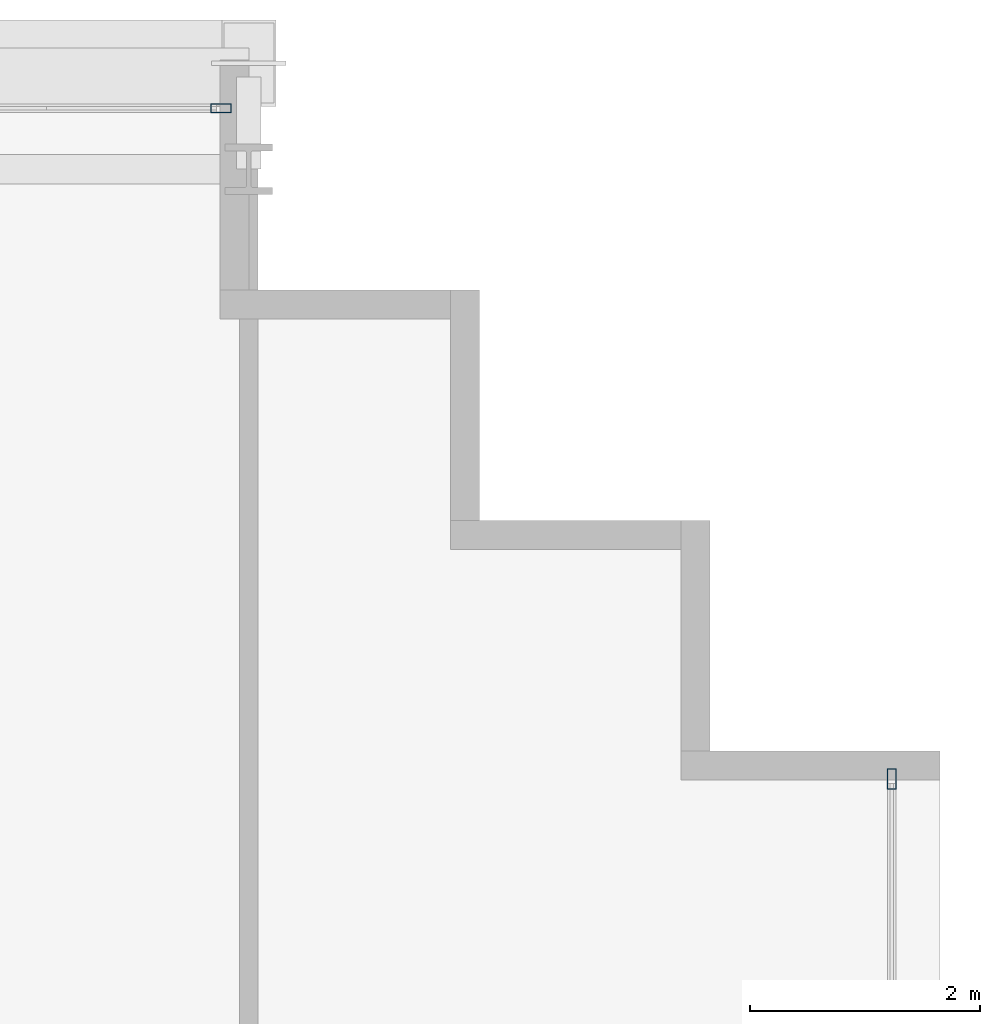
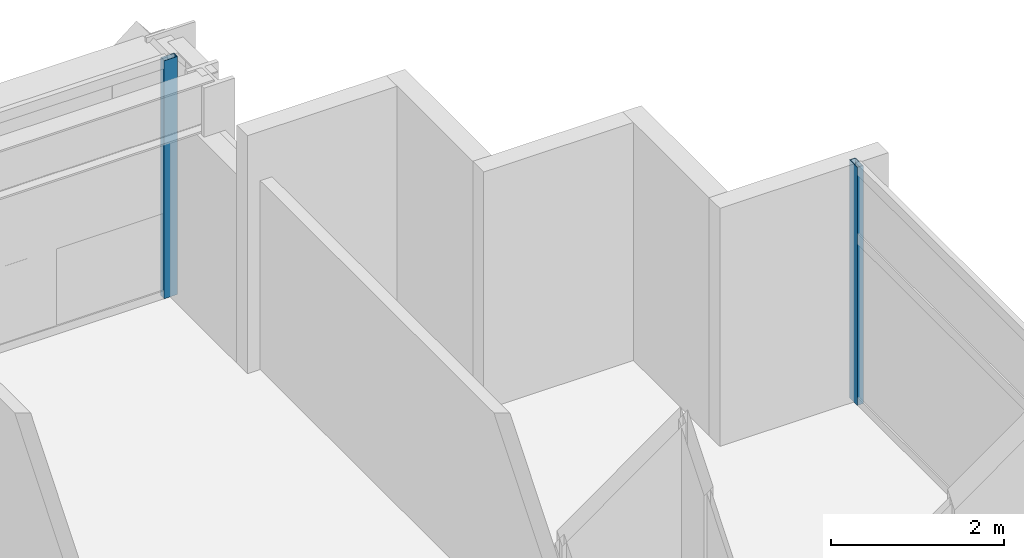
# One storey, part 22 of 35: 2 members, 2 elements without a shape of their own.
"""IFC4 building model written with IfcOpenShell, lengths in metres."""

import ifcopenshell
import ifcopenshell.guid

model = None  # the IFC model being written
_history = None  # IfcOwnerHistory: only IFC2X3 demands one
_inside = {}  # id of a spatial element -> (the spatial element, [elements in it])
_under = {}  # id of a project, library or spatial element -> (it, [spatial elements below it])
_declared = {}  # id of a project -> (the project, [libraries it declares])
_typed = {}  # id of a type object -> (the type object, [elements of that type])
_made_of = {}  # id of a material, layer set ... -> (it, [elements and type objects made of it])


def new_model(schema):
    """Start an empty IFC model of exactly this schema.

    Asked for "IFC4X3", IfcOpenShell would pick the latest addendum, in which some entities
    have other attributes; the version numbers below select the first issue.
    IFC2X3 requires an IfcOwnerHistory on every rooted entity: one is made here for all.
    """
    global model, _history
    if schema == "IFC4X3":
        model = ifcopenshell.file(schema_version=(4, 3, 0, 0))
    else:
        model = ifcopenshell.file(schema=schema)
    _inside.clear()
    _under.clear()
    _declared.clear()
    _typed.clear()
    _made_of.clear()
    _history = None
    if model.schema == "IFC2X3":
        org = make("IfcOrganization", Name="unknown")
        user = make(
            "IfcPersonAndOrganization",
            ThePerson=make("IfcPerson", FamilyName="unknown"),
            TheOrganization=org,
        )
        app = make(
            "IfcApplication",
            ApplicationDeveloper=org,
            Version="unknown",
            ApplicationFullName="unknown",
            ApplicationIdentifier="unknown",
        )
        _history = make(
            "IfcOwnerHistory",
            OwningUser=user,
            OwningApplication=app,
            ChangeAction="ADDED",
            CreationDate=0,
        )
    return model


def make(cls, **values):
    """One entity of the class cls with the attributes given. An attribute that is None is left unset."""
    return model.create_entity(
        cls, **{name: value for name, value in values.items() if value is not None}
    )


def rooted(cls, **values):
    """An entity with a GlobalId (a new one), such as an element, a storey or a relation."""
    return make(cls, GlobalId=ifcopenshell.guid.new(), OwnerHistory=_history, **values)


def si_unit(unit_type, name, prefix=None):
    """IfcSIUnit, for example si_unit("LENGTHUNIT", "METRE", prefix="MILLI")."""
    return make("IfcSIUnit", UnitType=unit_type, Prefix=prefix, Name=name)


def assignment(units):
    """IfcUnitAssignment: the units of a project."""
    return None if units is None else make("IfcUnitAssignment", Units=units)


def point(xyz):
    """IfcCartesianPoint."""
    return None if xyz is None else make("IfcCartesianPoint", Coordinates=xyz)


def direction(xyz):
    """IfcDirection."""
    return None if xyz is None else make("IfcDirection", DirectionRatios=xyz)


def frame(location, z_axis=None, x_axis=None):
    """IfcAxis2Placement3D, a coordinate frame: its origin and axes. An axis left out is left unset."""
    return make(
        "IfcAxis2Placement3D",
        Location=point(location),
        Axis=direction(z_axis),
        RefDirection=direction(x_axis),
    )


def frame_2d(location, x_axis=None):
    """IfcAxis2Placement2D, a coordinate frame in the plane: its origin and x axis."""
    return make(
        "IfcAxis2Placement2D", Location=point(location), RefDirection=direction(x_axis)
    )


def origin():
    """The frame at (0, 0, 0) with its axes left unset."""
    return frame((0.0, 0.0, 0.0))


def origin_2d():
    """The frame at (0, 0) in the plane with its x axis left unset."""
    return frame_2d((0.0, 0.0))


def place(relative_to, where):
    """IfcLocalPlacement: puts the frame where relative to a parent placement (None: the world)."""
    return make(
        "IfcLocalPlacement", PlacementRelTo=relative_to, RelativePlacement=where
    )


def context(
    kind, dimensions, precision=None, world=None, true_north=None, identifier=None
):
    """IfcGeometricRepresentationContext, for example the 3D "Model" context."""
    return make(
        "IfcGeometricRepresentationContext",
        ContextIdentifier=identifier,
        ContextType=kind,
        CoordinateSpaceDimension=dimensions,
        Precision=precision,
        WorldCoordinateSystem=world,
        TrueNorth=true_north,
    )


def subcontext(parent, identifier, kind, view, scale=None):
    """IfcGeometricRepresentationSubContext, for example "Body" below "Model"."""
    return make(
        "IfcGeometricRepresentationSubContext",
        ContextIdentifier=identifier,
        ContextType=kind,
        ParentContext=parent,
        TargetScale=scale,
        TargetView=view,
    )


def project(units=None, contexts=None):
    """IfcProject with its units and contexts."""
    return rooted(
        "IfcProject",
        Name="project",
        RepresentationContexts=contexts,
        UnitsInContext=assignment(units),
    )


def spatial(cls, under=None, at=None, **own):
    """A site, building, storey or space (cls), placed at a placement, below another one or the project."""
    s = rooted(cls, ObjectPlacement=at, **own)
    if under is not None:
        _under.setdefault(under.id(), (under, []))[1].append(s)
    return s


def profile(cls, at=None, kind="AREA", **sizes):
    """A parametric profile (cls). Its sizes go by their IFC names, for example OverallWidth=200.0."""
    return make(cls, ProfileType=kind, Position=at, **sizes)


def hollow_rectangle(**sizes):
    """IfcRectangleHollowProfileDef."""
    return profile("IfcRectangleHollowProfileDef", **sizes)


def extrude(swept, where, along, depth):
    """IfcExtrudedAreaSolid: the profile swept, set in the frame where, extruded along a direction by depth."""
    return make(
        "IfcExtrudedAreaSolid",
        SweptArea=swept,
        Position=where,
        ExtrudedDirection=direction(along),
        Depth=depth,
    )


def shape(context_of_items, identifier, shape_type, items):
    """IfcShapeRepresentation: the items that make up one representation, for example the "Body"."""
    return make(
        "IfcShapeRepresentation",
        ContextOfItems=context_of_items,
        RepresentationIdentifier=identifier,
        RepresentationType=shape_type,
        Items=items,
    )


def source(mapping_origin, context_of_items, identifier, shape_type, items):
    """IfcRepresentationMap: a shape defined once, which mapped items show again and again."""
    return make(
        "IfcRepresentationMap",
        MappingOrigin=mapping_origin,
        MappedRepresentation=shape(context_of_items, identifier, shape_type, items),
    )


def transform(
    local_origin,
    x_axis=None,
    y_axis=None,
    z_axis=None,
    scale=None,
    scale2=None,
    scale3=None,
    uniform=True,
):
    """IfcCartesianTransformationOperator3D, or its non-uniform kind. x_axis, y_axis, z_axis: its Axis1, 2, 3."""
    if uniform:
        return make(
            "IfcCartesianTransformationOperator3D",
            Axis1=direction(x_axis),
            Axis2=direction(y_axis),
            LocalOrigin=point(local_origin),
            Scale=scale,
            Axis3=direction(z_axis),
        )
    return make(
        "IfcCartesianTransformationOperator3DnonUniform",
        Axis1=direction(x_axis),
        Axis2=direction(y_axis),
        LocalOrigin=point(local_origin),
        Scale=scale,
        Axis3=direction(z_axis),
        Scale2=scale2,
        Scale3=scale3,
    )


def mapped(mapping_source, mapping_target):
    """IfcMappedItem: shows the shape of a source again, moved by a transform."""
    return make(
        "IfcMappedItem", MappingSource=mapping_source, MappingTarget=mapping_target
    )


def material(Name=None, Category=None):
    """IfcMaterial."""
    return make("IfcMaterial", Name=Name, Category=Category)


def layer(
    of_material, thickness, ventilated=None, Name=None, Category=None, Priority=None
):
    """IfcMaterialLayer: one layer of a wall or slab, of a material (None: an air gap)."""
    return make(
        "IfcMaterialLayer",
        Material=of_material,
        LayerThickness=thickness,
        IsVentilated=ventilated,
        Name=Name,
        Category=Category,
        Priority=Priority,
    )


def layer_set(layers, Name=None):
    """IfcMaterialLayerSet."""
    return make("IfcMaterialLayerSet", MaterialLayers=layers, LayerSetName=Name)


def material_profile(
    of_material, cross_section, Name=None, Category=None, Priority=None
):
    """IfcMaterialProfile: a cross section and its material."""
    return make(
        "IfcMaterialProfile",
        Name=Name,
        Material=of_material,
        Profile=cross_section,
        Priority=Priority,
        Category=Category,
    )


def profile_set(profiles, Name=None, composite=None):
    """IfcMaterialProfileSet."""
    return make(
        "IfcMaterialProfileSet",
        Name=Name,
        MaterialProfiles=profiles,
        CompositeProfile=composite,
    )


def made_of(thing, what):
    """Note that an element or type object is made of a material, layer set ...; save() writes the relation."""
    if what is not None:
        _made_of.setdefault(what.id(), (what, []))[1].append(thing)
    return thing


def type_object(cls, material=None, **own):
    """A type object (cls), such as IfcWallType, which elements share."""
    return made_of(rooted(cls, **own), material)


def element(
    cls,
    number,
    at=None,
    inside=None,
    cuts=None,
    type_object=None,
    material=None,
    context=None,
    identifier="Body",
    shape_type=None,
    held_by="IfcProductDefinitionShape",
    body=None,
    shapes=None,
    **own,
):
    """One element of the class cls, such as IfcWall. Its Tag is "e" and its number.

    at: its placement. inside: the storey or other place that contains it. cuts: it is an
    opening in that element (IfcRelVoidsElement). A single representation is given by context,
    identifier, shape_type and body (its items); several are given by shapes. held_by: the class
    of the entity that holds the representations. save() writes the other relations.
    """
    e = rooted(cls, Tag="e%d" % number, ObjectPlacement=at, **own)
    if body is not None:
        shapes = [shape(context, identifier, shape_type, body)]
    if shapes is not None:
        e.Representation = make(held_by, Representations=shapes)
    if inside is not None:
        _inside.setdefault(inside.id(), (inside, []))[1].append(e)
    if cuts is not None:
        rooted(
            "IfcRelVoidsElement", RelatingBuildingElement=cuts, RelatedOpeningElement=e
        )
    if type_object is not None:
        _typed.setdefault(type_object.id(), (type_object, []))[1].append(e)
    return made_of(e, material)


def aggregate(whole, parts):
    """IfcRelAggregates: a whole, such as a stair, and the parts it consists of."""
    return rooted("IfcRelAggregates", RelatingObject=whole, RelatedObjects=parts)


def save(model, path):
    """Write the relations noted so far, then the file.

    IfcRelAggregates (storeys below a building ...), IfcRelContainedInSpatialStructure (elements
    in a storey), IfcRelDefinesByType, IfcRelAssociatesMaterial and IfcRelDeclares: one each for
    every whole, place, type object, material and project.
    """
    for whole, parts in _under.values():
        aggregate(whole, parts)
    for where, things in _inside.values():
        rooted(
            "IfcRelContainedInSpatialStructure",
            RelatedElements=things,
            RelatingStructure=where,
        )
    for kind, things in _typed.values():
        rooted("IfcRelDefinesByType", RelatedObjects=things, RelatingType=kind)
    for what, things in _made_of.values():
        rooted("IfcRelAssociatesMaterial", RelatedObjects=things, RelatingMaterial=what)
    for by, libraries in _declared.values():
        rooted("IfcRelDeclares", RelatingContext=by, RelatedDefinitions=libraries)
    model.write(path)


model = new_model("IFC4")

# Units and contexts
model_context = context("Model", 3, precision=1e-05, world=origin(), true_north=direction((0.0, 1.0)))
body_context = subcontext(model_context, "Body", "Model", "MODEL_VIEW")
ifc_project = project(units=[si_unit("LENGTHUNIT", "METRE"), si_unit("AREAUNIT", "SQUARE_METRE"), si_unit("VOLUMEUNIT", "CUBIC_METRE"), si_unit("PLANEANGLEUNIT", "RADIAN"), si_unit("MASSUNIT", "GRAM", prefix="KILO")], contexts=[model_context])

# Site, building, storey
site_placement = place(None, origin())
site = spatial("IfcSite", under=ifc_project, at=site_placement, CompositionType="ELEMENT")
building_placement = place(site_placement, origin())
building = spatial("IfcBuilding", under=site, at=building_placement, Name="Ocotamira Hotel", CompositionType="ELEMENT")
storey_placement = place(building_placement, frame((0.0, 0.0, 144.0)))
storey = spatial("IfcBuildingStorey", under=building, at=storey_placement, Name="L36", CompositionType="ELEMENT", Elevation=144.0)

# Curtain wall, member
ifc_material_1 = material(Name="Anodised pale-metal aluminium and solar glass", Category="aluminium")
ifc_layer = layer(ifc_material_1, 0.179931640625)
ifc_layer_set = layer_set([ifc_layer], Name="Anodised pale-metal aluminium and solar glass")
curtain_wall_type = type_object("IfcCurtainWallType", Name="CW-SYS3-Z2", PredefinedType="NOTDEFINED", material=ifc_layer_set)
curtain_wall_1_placement = place(storey_placement, origin())
curtain_wall_1 = element("IfcCurtainWall", 1, at=curtain_wall_1_placement, inside=storey, type_object=curtain_wall_type, Name="L36 Curtain Wall CW-3 CW-L36-N", PredefinedType="NOTDEFINED")
ifc_material_2 = material(Name="Anodised pale-metal aluminium 6063-T6", Category="aluminium")
ifc_material_profile = material_profile(ifc_material_2, hollow_rectangle(XDim=0.080078125, YDim=0.179931640625, WallThickness=0.006103515625, at=origin_2d()), Name="HSS180X80X6")
ifc_profile_set = profile_set([ifc_material_profile], Name="Anodised pale-metal aluminium 6063-T6")
member_type = type_object("IfcMemberType", Name="CWM-180X75", PredefinedType="MULLION", material=ifc_profile_set)
shared_shape = source(origin(), body_context, "Body", "SweptSolid", [
    extrude(hollow_rectangle(XDim=0.080078125, YDim=0.179931640625, WallThickness=0.006103515625, at=origin_2d()), origin(), (0.0, 0.0, 1.0), 3.360107421875),
])
member_1_placement = place(storey_placement, frame((49.760009765625, 49.580078125, 0.0), z_axis=(0.0, 0.0, 1.0), x_axis=(0.0, 1.0, 0.0)))
member_1 = element("IfcMember", 2, at=member_1_placement, type_object=member_type, Name="CW-3 mullion 10", PredefinedType="MULLION", context=body_context, shape_type="MappedRepresentation", body=[
    mapped(shared_shape, transform((0.0, 0.0, 0.0), scale=1.0)),
])
aggregate(curtain_wall_1, [member_1])

curtain_wall_2_placement = place(storey_placement, origin())
curtain_wall_2 = element("IfcCurtainWall", 3, at=curtain_wall_2_placement, inside=storey, type_object=curtain_wall_type, Name="L36 Curtain Wall CW-3 CW-L36-E", PredefinedType="NOTDEFINED")
member_2_placement = place(storey_placement, frame((55.580078125, 43.760009765625, 0.0), z_axis=(0.0, 0.0, 1.0), x_axis=(-1.0, 0.0, 0.0)))
member_2 = element("IfcMember", 4, at=member_2_placement, type_object=member_type, Name="CW-3 mullion 8", PredefinedType="MULLION", context=body_context, shape_type="MappedRepresentation", body=[
    mapped(shared_shape, transform((0.0, 0.0, 0.0), scale=1.0)),
])
aggregate(curtain_wall_2, [member_2])

save(model, "model.ifc")
